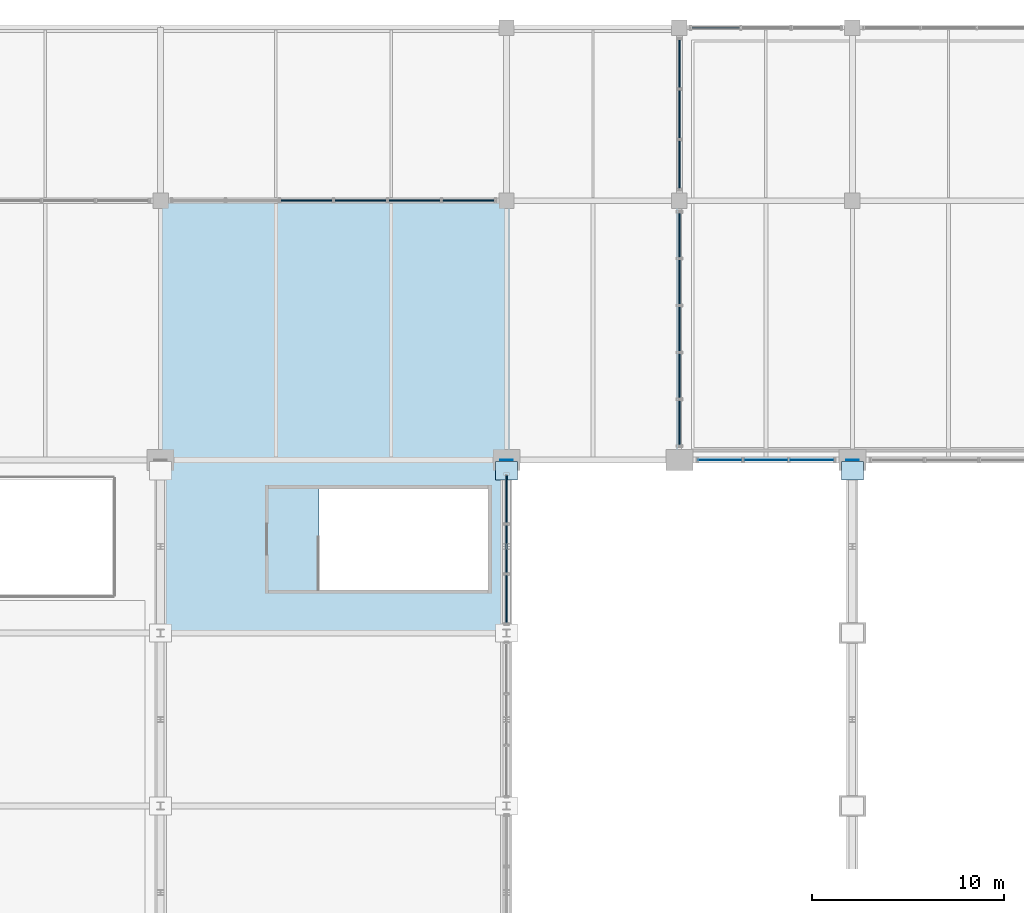
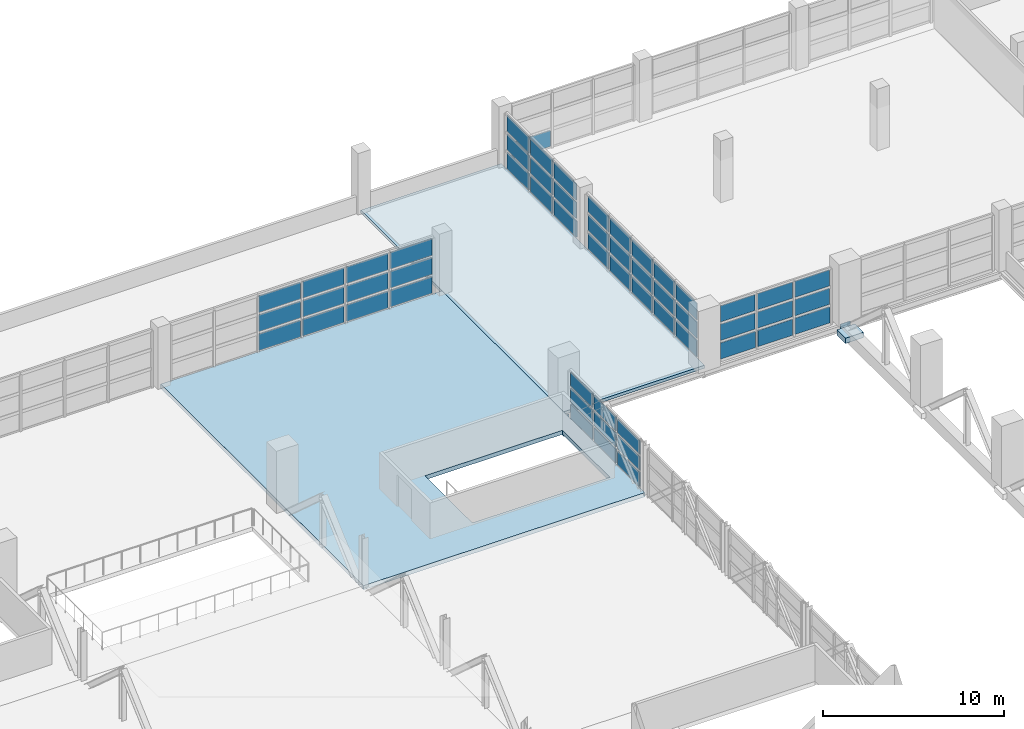
# One storey, part 109 of 136: 59 plates, 2 slabs, 6 elements without a shape of their own.
"""IFC4 building model written with IfcOpenShell, lengths in metres."""

import ifcopenshell
import ifcopenshell.guid

model = None  # the IFC model being written
_history = None  # IfcOwnerHistory: only IFC2X3 demands one
_inside = {}  # id of a spatial element -> (the spatial element, [elements in it])
_under = {}  # id of a project, library or spatial element -> (it, [spatial elements below it])
_declared = {}  # id of a project -> (the project, [libraries it declares])
_typed = {}  # id of a type object -> (the type object, [elements of that type])
_made_of = {}  # id of a material, layer set ... -> (it, [elements and type objects made of it])


def new_model(schema):
    """Start an empty IFC model of exactly this schema.

    Asked for "IFC4X3", IfcOpenShell would pick the latest addendum, in which some entities
    have other attributes; the version numbers below select the first issue.
    IFC2X3 requires an IfcOwnerHistory on every rooted entity: one is made here for all.
    """
    global model, _history
    if schema == "IFC4X3":
        model = ifcopenshell.file(schema_version=(4, 3, 0, 0))
    else:
        model = ifcopenshell.file(schema=schema)
    _inside.clear()
    _under.clear()
    _declared.clear()
    _typed.clear()
    _made_of.clear()
    _history = None
    if model.schema == "IFC2X3":
        org = make("IfcOrganization", Name="unknown")
        user = make(
            "IfcPersonAndOrganization",
            ThePerson=make("IfcPerson", FamilyName="unknown"),
            TheOrganization=org,
        )
        app = make(
            "IfcApplication",
            ApplicationDeveloper=org,
            Version="unknown",
            ApplicationFullName="unknown",
            ApplicationIdentifier="unknown",
        )
        _history = make(
            "IfcOwnerHistory",
            OwningUser=user,
            OwningApplication=app,
            ChangeAction="ADDED",
            CreationDate=0,
        )
    return model


def make(cls, **values):
    """One entity of the class cls with the attributes given. An attribute that is None is left unset."""
    return model.create_entity(
        cls, **{name: value for name, value in values.items() if value is not None}
    )


def rooted(cls, **values):
    """An entity with a GlobalId (a new one), such as an element, a storey or a relation."""
    return make(cls, GlobalId=ifcopenshell.guid.new(), OwnerHistory=_history, **values)


def si_unit(unit_type, name, prefix=None):
    """IfcSIUnit, for example si_unit("LENGTHUNIT", "METRE", prefix="MILLI")."""
    return make("IfcSIUnit", UnitType=unit_type, Prefix=prefix, Name=name)


def assignment(units):
    """IfcUnitAssignment: the units of a project."""
    return None if units is None else make("IfcUnitAssignment", Units=units)


def point(xyz):
    """IfcCartesianPoint."""
    return None if xyz is None else make("IfcCartesianPoint", Coordinates=xyz)


def direction(xyz):
    """IfcDirection."""
    return None if xyz is None else make("IfcDirection", DirectionRatios=xyz)


def frame(location, z_axis=None, x_axis=None):
    """IfcAxis2Placement3D, a coordinate frame: its origin and axes. An axis left out is left unset."""
    return make(
        "IfcAxis2Placement3D",
        Location=point(location),
        Axis=direction(z_axis),
        RefDirection=direction(x_axis),
    )


def frame_2d(location, x_axis=None):
    """IfcAxis2Placement2D, a coordinate frame in the plane: its origin and x axis."""
    return make(
        "IfcAxis2Placement2D", Location=point(location), RefDirection=direction(x_axis)
    )


def origin():
    """The frame at (0, 0, 0) with its axes left unset."""
    return frame((0.0, 0.0, 0.0))


def origin_2d():
    """The frame at (0, 0) in the plane with its x axis left unset."""
    return frame_2d((0.0, 0.0))


def place(relative_to, where):
    """IfcLocalPlacement: puts the frame where relative to a parent placement (None: the world)."""
    return make(
        "IfcLocalPlacement", PlacementRelTo=relative_to, RelativePlacement=where
    )


def context(
    kind, dimensions, precision=None, world=None, true_north=None, identifier=None
):
    """IfcGeometricRepresentationContext, for example the 3D "Model" context."""
    return make(
        "IfcGeometricRepresentationContext",
        ContextIdentifier=identifier,
        ContextType=kind,
        CoordinateSpaceDimension=dimensions,
        Precision=precision,
        WorldCoordinateSystem=world,
        TrueNorth=true_north,
    )


def subcontext(parent, identifier, kind, view, scale=None):
    """IfcGeometricRepresentationSubContext, for example "Body" below "Model"."""
    return make(
        "IfcGeometricRepresentationSubContext",
        ContextIdentifier=identifier,
        ContextType=kind,
        ParentContext=parent,
        TargetScale=scale,
        TargetView=view,
    )


def project(units=None, contexts=None):
    """IfcProject with its units and contexts."""
    return rooted(
        "IfcProject",
        Name="project",
        RepresentationContexts=contexts,
        UnitsInContext=assignment(units),
    )


def spatial(cls, under=None, at=None, **own):
    """A site, building, storey or space (cls), placed at a placement, below another one or the project."""
    s = rooted(cls, ObjectPlacement=at, **own)
    if under is not None:
        _under.setdefault(under.id(), (under, []))[1].append(s)
    return s


def polyline(points):
    """IfcPolyline through the points."""
    return make("IfcPolyline", Points=[point(p) for p in points])


def profile(cls, at=None, kind="AREA", **sizes):
    """A parametric profile (cls). Its sizes go by their IFC names, for example OverallWidth=200.0."""
    return make(cls, ProfileType=kind, Position=at, **sizes)


def rectangle(**sizes):
    """IfcRectangleProfileDef."""
    return profile("IfcRectangleProfileDef", **sizes)


def outline(outer, holes=None, kind="AREA"):
    """IfcArbitraryClosedProfileDef: a profile drawn as a closed curve; with holes, ...WithVoids."""
    if holes is None:
        return make("IfcArbitraryClosedProfileDef", ProfileType=kind, OuterCurve=outer)
    return make(
        "IfcArbitraryProfileDefWithVoids",
        ProfileType=kind,
        OuterCurve=outer,
        InnerCurves=holes,
    )


def extrude(swept, where, along, depth):
    """IfcExtrudedAreaSolid: the profile swept, set in the frame where, extruded along a direction by depth."""
    return make(
        "IfcExtrudedAreaSolid",
        SweptArea=swept,
        Position=where,
        ExtrudedDirection=direction(along),
        Depth=depth,
    )


def shape(context_of_items, identifier, shape_type, items):
    """IfcShapeRepresentation: the items that make up one representation, for example the "Body"."""
    return make(
        "IfcShapeRepresentation",
        ContextOfItems=context_of_items,
        RepresentationIdentifier=identifier,
        RepresentationType=shape_type,
        Items=items,
    )


def material(Name=None, Category=None):
    """IfcMaterial."""
    return make("IfcMaterial", Name=Name, Category=Category)


def layer(
    of_material, thickness, ventilated=None, Name=None, Category=None, Priority=None
):
    """IfcMaterialLayer: one layer of a wall or slab, of a material (None: an air gap)."""
    return make(
        "IfcMaterialLayer",
        Material=of_material,
        LayerThickness=thickness,
        IsVentilated=ventilated,
        Name=Name,
        Category=Category,
        Priority=Priority,
    )


def layer_set(layers, Name=None):
    """IfcMaterialLayerSet."""
    return make("IfcMaterialLayerSet", MaterialLayers=layers, LayerSetName=Name)


def made_of(thing, what):
    """Note that an element or type object is made of a material, layer set ...; save() writes the relation."""
    if what is not None:
        _made_of.setdefault(what.id(), (what, []))[1].append(thing)
    return thing


def type_object(cls, material=None, **own):
    """A type object (cls), such as IfcWallType, which elements share."""
    return made_of(rooted(cls, **own), material)


def element(
    cls,
    number,
    at=None,
    inside=None,
    cuts=None,
    type_object=None,
    material=None,
    context=None,
    identifier="Body",
    shape_type=None,
    held_by="IfcProductDefinitionShape",
    body=None,
    shapes=None,
    **own,
):
    """One element of the class cls, such as IfcWall. Its Tag is "e" and its number.

    at: its placement. inside: the storey or other place that contains it. cuts: it is an
    opening in that element (IfcRelVoidsElement). A single representation is given by context,
    identifier, shape_type and body (its items); several are given by shapes. held_by: the class
    of the entity that holds the representations. save() writes the other relations.
    """
    e = rooted(cls, Tag="e%d" % number, ObjectPlacement=at, **own)
    if body is not None:
        shapes = [shape(context, identifier, shape_type, body)]
    if shapes is not None:
        e.Representation = make(held_by, Representations=shapes)
    if inside is not None:
        _inside.setdefault(inside.id(), (inside, []))[1].append(e)
    if cuts is not None:
        rooted(
            "IfcRelVoidsElement", RelatingBuildingElement=cuts, RelatedOpeningElement=e
        )
    if type_object is not None:
        _typed.setdefault(type_object.id(), (type_object, []))[1].append(e)
    return made_of(e, material)


def aggregate(whole, parts):
    """IfcRelAggregates: a whole, such as a stair, and the parts it consists of."""
    return rooted("IfcRelAggregates", RelatingObject=whole, RelatedObjects=parts)


def save(model, path):
    """Write the relations noted so far, then the file.

    IfcRelAggregates (storeys below a building ...), IfcRelContainedInSpatialStructure (elements
    in a storey), IfcRelDefinesByType, IfcRelAssociatesMaterial and IfcRelDeclares: one each for
    every whole, place, type object, material and project.
    """
    for whole, parts in _under.values():
        aggregate(whole, parts)
    for where, things in _inside.values():
        rooted(
            "IfcRelContainedInSpatialStructure",
            RelatedElements=things,
            RelatingStructure=where,
        )
    for kind, things in _typed.values():
        rooted("IfcRelDefinesByType", RelatedObjects=things, RelatingType=kind)
    for what, things in _made_of.values():
        rooted("IfcRelAssociatesMaterial", RelatedObjects=things, RelatingMaterial=what)
    for by, libraries in _declared.values():
        rooted("IfcRelDeclares", RelatingContext=by, RelatedDefinitions=libraries)
    model.write(path)


model = new_model("IFC4")

# Units and contexts
model_context = context("Model", 3, precision=1e-05, world=origin(), true_north=direction((0.0, 1.0)))
body_context = subcontext(model_context, "Body", "Model", "MODEL_VIEW")
ifc_project = project(units=[si_unit("LENGTHUNIT", "METRE"), si_unit("AREAUNIT", "SQUARE_METRE"), si_unit("VOLUMEUNIT", "CUBIC_METRE"), si_unit("PLANEANGLEUNIT", "RADIAN"), si_unit("MASSUNIT", "GRAM", prefix="KILO")], contexts=[model_context])

# Site, building, storey
site_placement = place(None, origin())
site = spatial("IfcSite", under=ifc_project, at=site_placement, CompositionType="ELEMENT")
building_placement = place(site_placement, origin())
building = spatial("IfcBuilding", under=site, at=building_placement, Name="Chuanluo Vaults Station", CompositionType="ELEMENT")
storey_placement = place(building_placement, frame((0.0, 0.0, 6.60009765625)))
storey = spatial("IfcBuildingStorey", under=building, at=storey_placement, Name="L01", CompositionType="ELEMENT", Elevation=6.60009765625)

# Curtain wall, plates
ifc_material_1 = material(Name="Anodised aluminium 6063-T6", Category="aluminium")
curtain_wall_type_1 = type_object("IfcCurtainWallType", Name="CW-SYS-17", PredefinedType="NOTDEFINED", material=ifc_material_1)
curtain_wall_1_placement = place(storey_placement, origin())
curtain_wall_1 = element("IfcCurtainWall", 1, at=curtain_wall_1_placement, inside=storey, type_object=curtain_wall_type_1, Name="Operations L01 facade CW", PredefinedType="NOTDEFINED")
ifc_material_2 = material(Name="Ceramic-fritted spandrel glass", Category="glass")
ifc_layer_1 = layer(ifc_material_2, 0.06396484375)
ifc_layer_set_1 = layer_set([ifc_layer_1], Name="Ceramic-fritted spandrel glass")
plate_type_1 = type_object("IfcPlateType", Name="CWP-SPN-42", PredefinedType="SHEET", material=ifc_layer_set_1)
plate_1_placement = place(storey_placement, frame((117.0, 105.445068359375, 0.080078125), z_axis=(0.0, 0.0, 1.0), x_axis=(0.0, 1.0, 0.0)))
plate_1 = element("IfcPlate", 2, at=plate_1_placement, type_object=plate_type_1, Name="Operations L01 facade CW glazed panel 1.1", PredefinedType="SHEET", context=body_context, shape_type="SweptSolid", body=[
    extrude(rectangle(XDim=2.280029296875, YDim=0.06396484375, at=origin_2d()), origin(), (0.0, 0.0, 1.0), 1.090087890625),
])
plate_2_placement = place(storey_placement, frame((117.0, 107.885009765625, 0.080078125), z_axis=(0.0, 0.0, 1.0), x_axis=(0.0, 1.0, 0.0)))
plate_2 = element("IfcPlate", 3, at=plate_2_placement, type_object=plate_type_1, Name="Operations L01 facade CW glazed panel 2.1", PredefinedType="SHEET", context=body_context, shape_type="SweptSolid", body=[
    extrude(rectangle(XDim=2.280029296875, YDim=0.06396484375, at=origin_2d()), origin(), (0.0, 0.0, 1.0), 1.090087890625),
])
plate_3_placement = place(storey_placement, frame((117.0, 110.324951171875, 0.080078125), z_axis=(0.0, 0.0, 1.0), x_axis=(0.0, 1.0, 0.0)))
plate_3 = element("IfcPlate", 4, at=plate_3_placement, type_object=plate_type_1, Name="Operations L01 facade CW glazed panel 3.1", PredefinedType="SHEET", context=body_context, shape_type="SweptSolid", body=[
    extrude(rectangle(XDim=2.280029296875, YDim=0.06396484375, at=origin_2d()), origin(), (0.0, 0.0, 1.0), 1.090087890625),
])
plate_4_placement = place(storey_placement, frame((117.0, 112.764892578125, 0.080078125), z_axis=(0.0, 0.0, 1.0), x_axis=(0.0, 1.0, 0.0)))
plate_4 = element("IfcPlate", 5, at=plate_4_placement, type_object=plate_type_1, Name="Operations L01 facade CW glazed panel 4.1", PredefinedType="SHEET", context=body_context, shape_type="SweptSolid", body=[
    extrude(rectangle(XDim=2.280029296875, YDim=0.06396484375, at=origin_2d()), origin(), (0.0, 0.0, 1.0), 1.090087890625),
])
plate_5_placement = place(storey_placement, frame((117.0, 115.205078125, 0.080078125), z_axis=(0.0, 0.0, 1.0), x_axis=(0.0, 1.0, 0.0)))
plate_5 = element("IfcPlate", 6, at=plate_5_placement, type_object=plate_type_1, Name="Operations L01 facade CW glazed panel 5.1", PredefinedType="SHEET", context=body_context, shape_type="SweptSolid", body=[
    extrude(rectangle(XDim=2.280029296875, YDim=0.06396484375, at=origin_2d()), origin(), (0.0, 0.0, 1.0), 1.090087890625),
])

# Curtain wall, plate
ifc_material_3 = material(Name="Anodised aluminium 6063-T6", Category="aluminium")
curtain_wall_type_2 = type_object("IfcCurtainWallType", Name="CW-SYS-19", PredefinedType="NOTDEFINED", material=ifc_material_3)
curtain_wall_2_placement = place(storey_placement, origin())
curtain_wall_2 = element("IfcCurtainWall", 7, at=curtain_wall_2_placement, inside=storey, type_object=curtain_wall_type_2, Name="Operations L01 facade CW", PredefinedType="NOTDEFINED")
plate_6_placement = place(storey_placement, frame((118.88330078125, 126.0, 0.080078125), z_axis=(0.0, 0.0, 1.0), x_axis=(1.0, 0.0, 0.0)))
plate_6 = element("IfcPlate", 8, at=plate_6_placement, type_object=plate_type_1, Name="Operations L01 facade CW glazed panel 1.1", PredefinedType="SHEET", context=body_context, shape_type="SweptSolid", body=[
    extrude(rectangle(XDim=2.456787109375, YDim=0.06396484375, at=origin_2d()), origin(), (0.0, 0.0, 1.0), 1.090087890625),
])
aggregate(curtain_wall_2, [plate_6])

# Curtain wall, plates
ifc_material_4 = material(Name="Anodised aluminium 6063-T6", Category="aluminium")
curtain_wall_type_3 = type_object("IfcCurtainWallType", Name="CW-SYS-22", PredefinedType="NOTDEFINED", material=ifc_material_4)
curtain_wall_3_placement = place(storey_placement, origin())
curtain_wall_3 = element("IfcCurtainWall", 9, at=curtain_wall_3_placement, inside=storey, type_object=curtain_wall_type_3, Name="Over-track V6 north facade CW", PredefinedType="NOTDEFINED")
ifc_material_5 = material(Name="Ceramic-fritted spandrel glass", Category="glass")
ifc_layer_2 = layer(ifc_material_5, 0.070068359375)
ifc_layer_set_2 = layer_set([ifc_layer_2], Name="Ceramic-fritted spandrel glass")
plate_type_2 = type_object("IfcPlateType", Name="CWP-SPN-50", PredefinedType="SHEET", material=ifc_layer_set_2)
plate_7_placement = place(storey_placement, frame((97.595703125, 117.0, 0.080078125), z_axis=(0.0, 0.0, 1.0), x_axis=(1.0, 0.0, 0.0)))
plate_7 = element("IfcPlate", 10, at=plate_7_placement, type_object=plate_type_2, Name="Over-track V6 north facade CW glazed panel 3.1", PredefinedType="SHEET", context=body_context, shape_type="SweptSolid", body=[
    extrude(rectangle(XDim=2.648193359375, YDim=0.070068359375, at=origin_2d()), origin(), (0.0, 0.0, 1.0), 1.123291015625),
])
plate_8_placement = place(storey_placement, frame((100.404296875, 117.0, 0.080078125), z_axis=(0.0, 0.0, 1.0), x_axis=(1.0, 0.0, 0.0)))
plate_8 = element("IfcPlate", 11, at=plate_8_placement, type_object=plate_type_2, Name="Over-track V6 north facade CW glazed panel 4.1", PredefinedType="SHEET", context=body_context, shape_type="SweptSolid", body=[
    extrude(rectangle(XDim=2.648193359375, YDim=0.070068359375, at=origin_2d()), origin(), (0.0, 0.0, 1.0), 1.123291015625),
])
plate_9_placement = place(storey_placement, frame((103.21240234375, 117.0, 0.080078125), z_axis=(0.0, 0.0, 1.0), x_axis=(1.0, 0.0, 0.0)))
plate_9 = element("IfcPlate", 12, at=plate_9_placement, type_object=plate_type_2, Name="Over-track V6 north facade CW glazed panel 5.1", PredefinedType="SHEET", context=body_context, shape_type="SweptSolid", body=[
    extrude(rectangle(XDim=2.648193359375, YDim=0.070068359375, at=origin_2d()), origin(), (0.0, 0.0, 1.0), 1.123291015625),
])
plate_10_placement = place(storey_placement, frame((106.020751953125, 117.0, 0.080078125), z_axis=(0.0, 0.0, 1.0), x_axis=(1.0, 0.0, 0.0)))
plate_10 = element("IfcPlate", 13, at=plate_10_placement, type_object=plate_type_2, Name="Over-track V6 north facade CW glazed panel 6.1", PredefinedType="SHEET", context=body_context, shape_type="SweptSolid", body=[
    extrude(rectangle(XDim=2.648193359375, YDim=0.070068359375, at=origin_2d()), origin(), (0.0, 0.0, 1.0), 1.123291015625),
])

ifc_material_6 = material(Name="Anodised aluminium 6063-T6", Category="aluminium")
curtain_wall_type_4 = type_object("IfcCurtainWallType", Name="CW-SYS-02", PredefinedType="NOTDEFINED", material=ifc_material_6)
curtain_wall_4_placement = place(storey_placement, origin())
curtain_wall_4 = element("IfcCurtainWall", 14, at=curtain_wall_4_placement, inside=storey, type_object=curtain_wall_type_4, Name="Over-track east hall CW 94", PredefinedType="NOTDEFINED")
plate_11_placement = place(storey_placement, frame((108.0, 101.47509765625, 0.079833984375), z_axis=(0.0, 0.0, 1.0), x_axis=(0.0, -1.0, 0.0)))
plate_11 = element("IfcPlate", 15, at=plate_11_placement, type_object=plate_type_2, Name="Over-track east hall CW 94 glazed panel 1.1", PredefinedType="SHEET", context=body_context, shape_type="SweptSolid", body=[
    extrude(rectangle(XDim=2.43994140625, YDim=0.070068359375, at=origin_2d()), origin(), (0.0, 0.0, 1.0), 0.92333984375),
])
plate_12_placement = place(storey_placement, frame((108.0, 98.875, 0.079833984375), z_axis=(0.0, 0.0, 1.0), x_axis=(0.0, -1.0, 0.0)))
plate_12 = element("IfcPlate", 16, at=plate_12_placement, type_object=plate_type_2, Name="Over-track east hall CW 94 glazed panel 2.1", PredefinedType="SHEET", context=body_context, shape_type="SweptSolid", body=[
    extrude(rectangle(XDim=2.43994140625, YDim=0.070068359375, at=origin_2d()), origin(), (0.0, 0.0, 1.0), 0.92333984375),
])
plate_13_placement = place(storey_placement, frame((108.0, 96.27490234375, 0.079833984375), z_axis=(0.0, 0.0, 1.0), x_axis=(0.0, -1.0, 0.0)))
plate_13 = element("IfcPlate", 17, at=plate_13_placement, type_object=plate_type_2, Name="Over-track east hall CW 94 glazed panel 3.1", PredefinedType="SHEET", context=body_context, shape_type="SweptSolid", body=[
    extrude(rectangle(XDim=2.43994140625, YDim=0.070068359375, at=origin_2d()), origin(), (0.0, 0.0, 1.0), 0.92333984375),
])

ifc_material_7 = material(Name="Anodised aluminium 6063-T6", Category="aluminium")
curtain_wall_type_5 = type_object("IfcCurtainWallType", Name="CW-SYS-16", PredefinedType="NOTDEFINED", material=ifc_material_7)
curtain_wall_5_placement = place(storey_placement, origin())
curtain_wall_5 = element("IfcCurtainWall", 18, at=curtain_wall_5_placement, inside=storey, type_object=curtain_wall_type_5, Name="Operations L01 facade CW", PredefinedType="NOTDEFINED")
plate_14_placement = place(storey_placement, frame((123.88330078125, 103.5, 0.080078125), z_axis=(0.0, 0.0, 1.0), x_axis=(-1.0, 0.0, 0.0)))
plate_14 = element("IfcPlate", 19, at=plate_14_placement, type_object=plate_type_2, Name="Operations L01 facade CW glazed panel 1.1", PredefinedType="SHEET", context=body_context, shape_type="SweptSolid", body=[
    extrude(rectangle(XDim=2.223388671875, YDim=0.070068359375, at=origin_2d()), origin(), (0.0, 0.0, 1.0), 1.090087890625),
])
plate_15_placement = place(storey_placement, frame((121.5, 103.5, 0.080078125), z_axis=(0.0, 0.0, 1.0), x_axis=(-1.0, 0.0, 0.0)))
plate_15 = element("IfcPlate", 20, at=plate_15_placement, type_object=plate_type_2, Name="Operations L01 facade CW glazed panel 2.1", PredefinedType="SHEET", context=body_context, shape_type="SweptSolid", body=[
    extrude(rectangle(XDim=2.223388671875, YDim=0.070068359375, at=origin_2d()), origin(), (0.0, 0.0, 1.0), 1.090087890625),
])
plate_16_placement = place(storey_placement, frame((119.11669921875, 103.5, 0.080078125), z_axis=(0.0, 0.0, 1.0), x_axis=(-1.0, 0.0, 0.0)))
plate_16 = element("IfcPlate", 21, at=plate_16_placement, type_object=plate_type_2, Name="Operations L01 facade CW glazed panel 3.1", PredefinedType="SHEET", context=body_context, shape_type="SweptSolid", body=[
    extrude(rectangle(XDim=2.223388671875, YDim=0.070068359375, at=origin_2d()), origin(), (0.0, 0.0, 1.0), 1.090087890625),
])

ifc_material_8 = material(Name="Anodised aluminium 6063-T6", Category="aluminium")
curtain_wall_type_6 = type_object("IfcCurtainWallType", Name="CW-SYS-18", PredefinedType="NOTDEFINED", material=ifc_material_8)
curtain_wall_6_placement = place(storey_placement, origin())
curtain_wall_6 = element("IfcCurtainWall", 22, at=curtain_wall_6_placement, inside=storey, type_object=curtain_wall_type_6, Name="Operations L01 facade CW", PredefinedType="NOTDEFINED")
plate_17_placement = place(storey_placement, frame((117.0, 118.88330078125, 0.080078125), z_axis=(0.0, 0.0, 1.0), x_axis=(0.0, 1.0, 0.0)))
plate_17 = element("IfcPlate", 23, at=plate_17_placement, type_object=plate_type_2, Name="Operations L01 facade CW glazed panel 1.1", PredefinedType="SHEET", context=body_context, shape_type="SweptSolid", body=[
    extrude(rectangle(XDim=2.456787109375, YDim=0.070068359375, at=origin_2d()), origin(), (0.0, 0.0, 1.0), 1.090087890625),
])
plate_18_placement = place(storey_placement, frame((117.0, 121.5, 0.080078125), z_axis=(0.0, 0.0, 1.0), x_axis=(0.0, 1.0, 0.0)))
plate_18 = element("IfcPlate", 24, at=plate_18_placement, type_object=plate_type_2, Name="Operations L01 facade CW glazed panel 2.1", PredefinedType="SHEET", context=body_context, shape_type="SweptSolid", body=[
    extrude(rectangle(XDim=2.456787109375, YDim=0.070068359375, at=origin_2d()), origin(), (0.0, 0.0, 1.0), 1.090087890625),
])
plate_19_placement = place(storey_placement, frame((117.0, 124.11669921875, 0.080078125), z_axis=(0.0, 0.0, 1.0), x_axis=(0.0, 1.0, 0.0)))
plate_19 = element("IfcPlate", 25, at=plate_19_placement, type_object=plate_type_2, Name="Operations L01 facade CW glazed panel 3.1", PredefinedType="SHEET", context=body_context, shape_type="SweptSolid", body=[
    extrude(rectangle(XDim=2.456787109375, YDim=0.070068359375, at=origin_2d()), origin(), (0.0, 0.0, 1.0), 1.090087890625),
])

# Plate
ifc_material_9 = material(Name="Double-silver Low-E laminated glass", Category="glass")
ifc_layer_3 = layer(ifc_material_9, 0.0439453125)
ifc_layer_set_3 = layer_set([ifc_layer_3], Name="Double-silver Low-E laminated glass")
plate_type_3 = type_object("IfcPlateType", Name="CWP-VIS-28", PredefinedType="CURTAIN_PANEL", material=ifc_layer_set_3)
plate_20_placement = place(storey_placement, frame((123.88330078125, 103.5, 1.330078125), z_axis=(0.0, 0.0, 1.0), x_axis=(-1.0, 0.0, 0.0)))
plate_20 = element("IfcPlate", 26, at=plate_20_placement, type_object=plate_type_3, Name="Operations L01 facade CW glazed panel 1.2", PredefinedType="CURTAIN_PANEL", context=body_context, shape_type="SweptSolid", body=[
    extrude(rectangle(XDim=2.223388671875, YDim=0.0439453125, at=origin_2d()), origin(), (0.0, 0.0, 1.0), 1.090087890625),
])

plate_21_placement = place(storey_placement, frame((123.88330078125, 103.5, 2.580078125), z_axis=(0.0, 0.0, 1.0), x_axis=(-1.0, 0.0, 0.0)))
plate_21 = element("IfcPlate", 27, at=plate_21_placement, type_object=plate_type_3, Name="Operations L01 facade CW glazed panel 1.3", PredefinedType="CURTAIN_PANEL", context=body_context, shape_type="SweptSolid", body=[
    extrude(rectangle(XDim=2.223388671875, YDim=0.0439453125, at=origin_2d()), origin(), (0.0, 0.0, 1.0), 1.090087890625),
])

plate_22_placement = place(storey_placement, frame((121.5, 103.5, 1.330078125), z_axis=(0.0, 0.0, 1.0), x_axis=(-1.0, 0.0, 0.0)))
plate_22 = element("IfcPlate", 28, at=plate_22_placement, type_object=plate_type_3, Name="Operations L01 facade CW glazed panel 2.2", PredefinedType="CURTAIN_PANEL", context=body_context, shape_type="SweptSolid", body=[
    extrude(rectangle(XDim=2.223388671875, YDim=0.0439453125, at=origin_2d()), origin(), (0.0, 0.0, 1.0), 1.090087890625),
])

plate_23_placement = place(storey_placement, frame((121.5, 103.5, 2.580078125), z_axis=(0.0, 0.0, 1.0), x_axis=(-1.0, 0.0, 0.0)))
plate_23 = element("IfcPlate", 29, at=plate_23_placement, type_object=plate_type_3, Name="Operations L01 facade CW glazed panel 2.3", PredefinedType="CURTAIN_PANEL", context=body_context, shape_type="SweptSolid", body=[
    extrude(rectangle(XDim=2.223388671875, YDim=0.0439453125, at=origin_2d()), origin(), (0.0, 0.0, 1.0), 1.090087890625),
])

plate_24_placement = place(storey_placement, frame((119.11669921875, 103.5, 1.330078125), z_axis=(0.0, 0.0, 1.0), x_axis=(-1.0, 0.0, 0.0)))
plate_24 = element("IfcPlate", 30, at=plate_24_placement, type_object=plate_type_3, Name="Operations L01 facade CW glazed panel 3.2", PredefinedType="CURTAIN_PANEL", context=body_context, shape_type="SweptSolid", body=[
    extrude(rectangle(XDim=2.223388671875, YDim=0.0439453125, at=origin_2d()), origin(), (0.0, 0.0, 1.0), 1.090087890625),
])

plate_25_placement = place(storey_placement, frame((119.11669921875, 103.5, 2.580078125), z_axis=(0.0, 0.0, 1.0), x_axis=(-1.0, 0.0, 0.0)))
plate_25 = element("IfcPlate", 31, at=plate_25_placement, type_object=plate_type_3, Name="Operations L01 facade CW glazed panel 3.3", PredefinedType="CURTAIN_PANEL", context=body_context, shape_type="SweptSolid", body=[
    extrude(rectangle(XDim=2.223388671875, YDim=0.0439453125, at=origin_2d()), origin(), (0.0, 0.0, 1.0), 1.090087890625),
])

aggregate(curtain_wall_5, [plate_14, plate_20, plate_21, plate_15, plate_22, plate_23, plate_16, plate_24, plate_25])

ifc_material_10 = material(Name="Double-silver Low-E laminated glass", Category="glass")
ifc_layer_4 = layer(ifc_material_10, 0.053955078125)
ifc_layer_set_4 = layer_set([ifc_layer_4], Name="Double-silver Low-E laminated glass")
plate_type_4 = type_object("IfcPlateType", Name="CWP-VIS-36", PredefinedType="CURTAIN_PANEL", material=ifc_layer_set_4)
plate_26_placement = place(storey_placement, frame((97.595703125, 117.0, 1.36328125), z_axis=(0.0, 0.0, 1.0), x_axis=(1.0, 0.0, 0.0)))
plate_26 = element("IfcPlate", 32, at=plate_26_placement, type_object=plate_type_4, Name="Over-track V6 north facade CW glazed panel 3.2", PredefinedType="CURTAIN_PANEL", context=body_context, shape_type="SweptSolid", body=[
    extrude(rectangle(XDim=2.648193359375, YDim=0.053955078125, at=origin_2d()), origin(), (0.0, 0.0, 1.0), 1.123291015625),
])

plate_27_placement = place(storey_placement, frame((97.595703125, 117.0, 2.646484375), z_axis=(0.0, 0.0, 1.0), x_axis=(1.0, 0.0, 0.0)))
plate_27 = element("IfcPlate", 33, at=plate_27_placement, type_object=plate_type_4, Name="Over-track V6 north facade CW glazed panel 3.3", PredefinedType="CURTAIN_PANEL", context=body_context, shape_type="SweptSolid", body=[
    extrude(rectangle(XDim=2.648193359375, YDim=0.053955078125, at=origin_2d()), origin(), (0.0, 0.0, 1.0), 1.123291015625),
])

plate_28_placement = place(storey_placement, frame((100.404296875, 117.0, 1.36328125), z_axis=(0.0, 0.0, 1.0), x_axis=(1.0, 0.0, 0.0)))
plate_28 = element("IfcPlate", 34, at=plate_28_placement, type_object=plate_type_4, Name="Over-track V6 north facade CW glazed panel 4.2", PredefinedType="CURTAIN_PANEL", context=body_context, shape_type="SweptSolid", body=[
    extrude(rectangle(XDim=2.648193359375, YDim=0.053955078125, at=origin_2d()), origin(), (0.0, 0.0, 1.0), 1.123291015625),
])

plate_29_placement = place(storey_placement, frame((100.404296875, 117.0, 2.646484375), z_axis=(0.0, 0.0, 1.0), x_axis=(1.0, 0.0, 0.0)))
plate_29 = element("IfcPlate", 35, at=plate_29_placement, type_object=plate_type_4, Name="Over-track V6 north facade CW glazed panel 4.3", PredefinedType="CURTAIN_PANEL", context=body_context, shape_type="SweptSolid", body=[
    extrude(rectangle(XDim=2.648193359375, YDim=0.053955078125, at=origin_2d()), origin(), (0.0, 0.0, 1.0), 1.123291015625),
])

plate_30_placement = place(storey_placement, frame((103.21240234375, 117.0, 1.36328125), z_axis=(0.0, 0.0, 1.0), x_axis=(1.0, 0.0, 0.0)))
plate_30 = element("IfcPlate", 36, at=plate_30_placement, type_object=plate_type_4, Name="Over-track V6 north facade CW glazed panel 5.2", PredefinedType="CURTAIN_PANEL", context=body_context, shape_type="SweptSolid", body=[
    extrude(rectangle(XDim=2.648193359375, YDim=0.053955078125, at=origin_2d()), origin(), (0.0, 0.0, 1.0), 1.123291015625),
])

plate_31_placement = place(storey_placement, frame((103.21240234375, 117.0, 2.646484375), z_axis=(0.0, 0.0, 1.0), x_axis=(1.0, 0.0, 0.0)))
plate_31 = element("IfcPlate", 37, at=plate_31_placement, type_object=plate_type_4, Name="Over-track V6 north facade CW glazed panel 5.3", PredefinedType="CURTAIN_PANEL", context=body_context, shape_type="SweptSolid", body=[
    extrude(rectangle(XDim=2.648193359375, YDim=0.053955078125, at=origin_2d()), origin(), (0.0, 0.0, 1.0), 1.123291015625),
])

plate_32_placement = place(storey_placement, frame((106.020751953125, 117.0, 1.36328125), z_axis=(0.0, 0.0, 1.0), x_axis=(1.0, 0.0, 0.0)))
plate_32 = element("IfcPlate", 38, at=plate_32_placement, type_object=plate_type_4, Name="Over-track V6 north facade CW glazed panel 6.2", PredefinedType="CURTAIN_PANEL", context=body_context, shape_type="SweptSolid", body=[
    extrude(rectangle(XDim=2.648193359375, YDim=0.053955078125, at=origin_2d()), origin(), (0.0, 0.0, 1.0), 1.123291015625),
])

plate_33_placement = place(storey_placement, frame((106.020751953125, 117.0, 2.646484375), z_axis=(0.0, 0.0, 1.0), x_axis=(1.0, 0.0, 0.0)))
plate_33 = element("IfcPlate", 39, at=plate_33_placement, type_object=plate_type_4, Name="Over-track V6 north facade CW glazed panel 6.3", PredefinedType="CURTAIN_PANEL", context=body_context, shape_type="SweptSolid", body=[
    extrude(rectangle(XDim=2.648193359375, YDim=0.053955078125, at=origin_2d()), origin(), (0.0, 0.0, 1.0), 1.123291015625),
])

aggregate(curtain_wall_3, [plate_7, plate_26, plate_27, plate_8, plate_28, plate_29, plate_9, plate_30, plate_31, plate_10, plate_32, plate_33])

plate_34_placement = place(storey_placement, frame((108.0, 101.47509765625, 1.163330078125), z_axis=(0.0, 0.0, 1.0), x_axis=(0.0, -1.0, 0.0)))
plate_34 = element("IfcPlate", 40, at=plate_34_placement, type_object=plate_type_4, Name="Over-track east hall CW 94 glazed panel 1.2", PredefinedType="CURTAIN_PANEL", context=body_context, shape_type="SweptSolid", body=[
    extrude(rectangle(XDim=2.43994140625, YDim=0.053955078125, at=origin_2d()), origin(), (0.0, 0.0, 1.0), 0.92333984375),
])

plate_35_placement = place(storey_placement, frame((108.0, 101.47509765625, 2.24658203125), z_axis=(0.0, 0.0, 1.0), x_axis=(0.0, -1.0, 0.0)))
plate_35 = element("IfcPlate", 41, at=plate_35_placement, type_object=plate_type_4, Name="Over-track east hall CW 94 glazed panel 1.3", PredefinedType="CURTAIN_PANEL", context=body_context, shape_type="SweptSolid", body=[
    extrude(rectangle(XDim=2.43994140625, YDim=0.053955078125, at=origin_2d()), origin(), (0.0, 0.0, 1.0), 0.92333984375),
])

plate_36_placement = place(storey_placement, frame((108.0, 98.875, 1.163330078125), z_axis=(0.0, 0.0, 1.0), x_axis=(0.0, -1.0, 0.0)))
plate_36 = element("IfcPlate", 42, at=plate_36_placement, type_object=plate_type_4, Name="Over-track east hall CW 94 glazed panel 2.2", PredefinedType="CURTAIN_PANEL", context=body_context, shape_type="SweptSolid", body=[
    extrude(rectangle(XDim=2.43994140625, YDim=0.053955078125, at=origin_2d()), origin(), (0.0, 0.0, 1.0), 0.92333984375),
])

plate_37_placement = place(storey_placement, frame((108.0, 98.875, 2.24658203125), z_axis=(0.0, 0.0, 1.0), x_axis=(0.0, -1.0, 0.0)))
plate_37 = element("IfcPlate", 43, at=plate_37_placement, type_object=plate_type_4, Name="Over-track east hall CW 94 glazed panel 2.3", PredefinedType="CURTAIN_PANEL", context=body_context, shape_type="SweptSolid", body=[
    extrude(rectangle(XDim=2.43994140625, YDim=0.053955078125, at=origin_2d()), origin(), (0.0, 0.0, 1.0), 0.92333984375),
])

plate_38_placement = place(storey_placement, frame((108.0, 96.27490234375, 1.163330078125), z_axis=(0.0, 0.0, 1.0), x_axis=(0.0, -1.0, 0.0)))
plate_38 = element("IfcPlate", 44, at=plate_38_placement, type_object=plate_type_4, Name="Over-track east hall CW 94 glazed panel 3.2", PredefinedType="CURTAIN_PANEL", context=body_context, shape_type="SweptSolid", body=[
    extrude(rectangle(XDim=2.43994140625, YDim=0.053955078125, at=origin_2d()), origin(), (0.0, 0.0, 1.0), 0.92333984375),
])

plate_39_placement = place(storey_placement, frame((108.0, 96.27490234375, 2.24658203125), z_axis=(0.0, 0.0, 1.0), x_axis=(0.0, -1.0, 0.0)))
plate_39 = element("IfcPlate", 45, at=plate_39_placement, type_object=plate_type_4, Name="Over-track east hall CW 94 glazed panel 3.3", PredefinedType="CURTAIN_PANEL", context=body_context, shape_type="SweptSolid", body=[
    extrude(rectangle(XDim=2.43994140625, YDim=0.053955078125, at=origin_2d()), origin(), (0.0, 0.0, 1.0), 0.92333984375),
])

aggregate(curtain_wall_4, [plate_11, plate_34, plate_35, plate_12, plate_36, plate_37, plate_13, plate_38, plate_39])

plate_40_placement = place(storey_placement, frame((117.0, 118.88330078125, 1.330078125), z_axis=(0.0, 0.0, 1.0), x_axis=(0.0, 1.0, 0.0)))
plate_40 = element("IfcPlate", 46, at=plate_40_placement, type_object=plate_type_4, Name="Operations L01 facade CW glazed panel 1.2", PredefinedType="CURTAIN_PANEL", context=body_context, shape_type="SweptSolid", body=[
    extrude(rectangle(XDim=2.456787109375, YDim=0.053955078125, at=origin_2d()), origin(), (0.0, 0.0, 1.0), 1.090087890625),
])

plate_41_placement = place(storey_placement, frame((117.0, 118.88330078125, 2.580078125), z_axis=(0.0, 0.0, 1.0), x_axis=(0.0, 1.0, 0.0)))
plate_41 = element("IfcPlate", 47, at=plate_41_placement, type_object=plate_type_4, Name="Operations L01 facade CW glazed panel 1.3", PredefinedType="CURTAIN_PANEL", context=body_context, shape_type="SweptSolid", body=[
    extrude(rectangle(XDim=2.456787109375, YDim=0.053955078125, at=origin_2d()), origin(), (0.0, 0.0, 1.0), 1.090087890625),
])

plate_42_placement = place(storey_placement, frame((117.0, 121.5, 1.330078125), z_axis=(0.0, 0.0, 1.0), x_axis=(0.0, 1.0, 0.0)))
plate_42 = element("IfcPlate", 48, at=plate_42_placement, type_object=plate_type_4, Name="Operations L01 facade CW glazed panel 2.2", PredefinedType="CURTAIN_PANEL", context=body_context, shape_type="SweptSolid", body=[
    extrude(rectangle(XDim=2.456787109375, YDim=0.053955078125, at=origin_2d()), origin(), (0.0, 0.0, 1.0), 1.090087890625),
])

plate_43_placement = place(storey_placement, frame((117.0, 121.5, 2.580078125), z_axis=(0.0, 0.0, 1.0), x_axis=(0.0, 1.0, 0.0)))
plate_43 = element("IfcPlate", 49, at=plate_43_placement, type_object=plate_type_4, Name="Operations L01 facade CW glazed panel 2.3", PredefinedType="CURTAIN_PANEL", context=body_context, shape_type="SweptSolid", body=[
    extrude(rectangle(XDim=2.456787109375, YDim=0.053955078125, at=origin_2d()), origin(), (0.0, 0.0, 1.0), 1.090087890625),
])

plate_44_placement = place(storey_placement, frame((117.0, 124.11669921875, 1.330078125), z_axis=(0.0, 0.0, 1.0), x_axis=(0.0, 1.0, 0.0)))
plate_44 = element("IfcPlate", 50, at=plate_44_placement, type_object=plate_type_4, Name="Operations L01 facade CW glazed panel 3.2", PredefinedType="CURTAIN_PANEL", context=body_context, shape_type="SweptSolid", body=[
    extrude(rectangle(XDim=2.456787109375, YDim=0.053955078125, at=origin_2d()), origin(), (0.0, 0.0, 1.0), 1.090087890625),
])

plate_45_placement = place(storey_placement, frame((117.0, 124.11669921875, 2.580078125), z_axis=(0.0, 0.0, 1.0), x_axis=(0.0, 1.0, 0.0)))
plate_45 = element("IfcPlate", 51, at=plate_45_placement, type_object=plate_type_4, Name="Operations L01 facade CW glazed panel 3.3", PredefinedType="CURTAIN_PANEL", context=body_context, shape_type="SweptSolid", body=[
    extrude(rectangle(XDim=2.456787109375, YDim=0.053955078125, at=origin_2d()), origin(), (0.0, 0.0, 1.0), 1.090087890625),
])

aggregate(curtain_wall_6, [plate_17, plate_40, plate_41, plate_18, plate_42, plate_43, plate_19, plate_44, plate_45])

ifc_material_11 = material(Name="Double-silver Low-E laminated glass", Category="glass")
ifc_layer_5 = layer(ifc_material_11, 0.05810546875)
ifc_layer_set_5 = layer_set([ifc_layer_5], Name="Double-silver Low-E laminated glass")
plate_type_5 = type_object("IfcPlateType", Name="CWP-VIS-38", PredefinedType="CURTAIN_PANEL", material=ifc_layer_set_5)
plate_46_placement = place(storey_placement, frame((117.0, 105.445068359375, 1.330078125), z_axis=(0.0, 0.0, 1.0), x_axis=(0.0, 1.0, 0.0)))
plate_46 = element("IfcPlate", 52, at=plate_46_placement, type_object=plate_type_5, Name="Operations L01 facade CW glazed panel 1.2", PredefinedType="CURTAIN_PANEL", context=body_context, shape_type="SweptSolid", body=[
    extrude(rectangle(XDim=2.280029296875, YDim=0.05810546875, at=origin_2d()), origin(), (0.0, 0.0, 1.0), 1.090087890625),
])

plate_47_placement = place(storey_placement, frame((117.0, 105.445068359375, 2.580078125), z_axis=(0.0, 0.0, 1.0), x_axis=(0.0, 1.0, 0.0)))
plate_47 = element("IfcPlate", 53, at=plate_47_placement, type_object=plate_type_5, Name="Operations L01 facade CW glazed panel 1.3", PredefinedType="CURTAIN_PANEL", context=body_context, shape_type="SweptSolid", body=[
    extrude(rectangle(XDim=2.280029296875, YDim=0.05810546875, at=origin_2d()), origin(), (0.0, 0.0, 1.0), 1.090087890625),
])

plate_48_placement = place(storey_placement, frame((117.0, 107.885009765625, 1.330078125), z_axis=(0.0, 0.0, 1.0), x_axis=(0.0, 1.0, 0.0)))
plate_48 = element("IfcPlate", 54, at=plate_48_placement, type_object=plate_type_5, Name="Operations L01 facade CW glazed panel 2.2", PredefinedType="CURTAIN_PANEL", context=body_context, shape_type="SweptSolid", body=[
    extrude(rectangle(XDim=2.280029296875, YDim=0.05810546875, at=origin_2d()), origin(), (0.0, 0.0, 1.0), 1.090087890625),
])

plate_49_placement = place(storey_placement, frame((117.0, 107.885009765625, 2.580078125), z_axis=(0.0, 0.0, 1.0), x_axis=(0.0, 1.0, 0.0)))
plate_49 = element("IfcPlate", 55, at=plate_49_placement, type_object=plate_type_5, Name="Operations L01 facade CW glazed panel 2.3", PredefinedType="CURTAIN_PANEL", context=body_context, shape_type="SweptSolid", body=[
    extrude(rectangle(XDim=2.280029296875, YDim=0.05810546875, at=origin_2d()), origin(), (0.0, 0.0, 1.0), 1.090087890625),
])

plate_50_placement = place(storey_placement, frame((117.0, 110.324951171875, 1.330078125), z_axis=(0.0, 0.0, 1.0), x_axis=(0.0, 1.0, 0.0)))
plate_50 = element("IfcPlate", 56, at=plate_50_placement, type_object=plate_type_5, Name="Operations L01 facade CW glazed panel 3.2", PredefinedType="CURTAIN_PANEL", context=body_context, shape_type="SweptSolid", body=[
    extrude(rectangle(XDim=2.280029296875, YDim=0.05810546875, at=origin_2d()), origin(), (0.0, 0.0, 1.0), 1.090087890625),
])

plate_51_placement = place(storey_placement, frame((117.0, 110.324951171875, 2.580078125), z_axis=(0.0, 0.0, 1.0), x_axis=(0.0, 1.0, 0.0)))
plate_51 = element("IfcPlate", 57, at=plate_51_placement, type_object=plate_type_5, Name="Operations L01 facade CW glazed panel 3.3", PredefinedType="CURTAIN_PANEL", context=body_context, shape_type="SweptSolid", body=[
    extrude(rectangle(XDim=2.280029296875, YDim=0.05810546875, at=origin_2d()), origin(), (0.0, 0.0, 1.0), 1.090087890625),
])

plate_52_placement = place(storey_placement, frame((117.0, 112.764892578125, 1.330078125), z_axis=(0.0, 0.0, 1.0), x_axis=(0.0, 1.0, 0.0)))
plate_52 = element("IfcPlate", 58, at=plate_52_placement, type_object=plate_type_5, Name="Operations L01 facade CW glazed panel 4.2", PredefinedType="CURTAIN_PANEL", context=body_context, shape_type="SweptSolid", body=[
    extrude(rectangle(XDim=2.280029296875, YDim=0.05810546875, at=origin_2d()), origin(), (0.0, 0.0, 1.0), 1.090087890625),
])

plate_53_placement = place(storey_placement, frame((117.0, 112.764892578125, 2.580078125), z_axis=(0.0, 0.0, 1.0), x_axis=(0.0, 1.0, 0.0)))
plate_53 = element("IfcPlate", 59, at=plate_53_placement, type_object=plate_type_5, Name="Operations L01 facade CW glazed panel 4.3", PredefinedType="CURTAIN_PANEL", context=body_context, shape_type="SweptSolid", body=[
    extrude(rectangle(XDim=2.280029296875, YDim=0.05810546875, at=origin_2d()), origin(), (0.0, 0.0, 1.0), 1.090087890625),
])

plate_54_placement = place(storey_placement, frame((117.0, 115.205078125, 1.330078125), z_axis=(0.0, 0.0, 1.0), x_axis=(0.0, 1.0, 0.0)))
plate_54 = element("IfcPlate", 60, at=plate_54_placement, type_object=plate_type_5, Name="Operations L01 facade CW glazed panel 5.2", PredefinedType="CURTAIN_PANEL", context=body_context, shape_type="SweptSolid", body=[
    extrude(rectangle(XDim=2.280029296875, YDim=0.05810546875, at=origin_2d()), origin(), (0.0, 0.0, 1.0), 1.090087890625),
])

plate_55_placement = place(storey_placement, frame((117.0, 115.205078125, 2.580078125), z_axis=(0.0, 0.0, 1.0), x_axis=(0.0, 1.0, 0.0)))
plate_55 = element("IfcPlate", 61, at=plate_55_placement, type_object=plate_type_5, Name="Operations L01 facade CW glazed panel 5.3", PredefinedType="CURTAIN_PANEL", context=body_context, shape_type="SweptSolid", body=[
    extrude(rectangle(XDim=2.280029296875, YDim=0.05810546875, at=origin_2d()), origin(), (0.0, 0.0, 1.0), 1.090087890625),
])

aggregate(curtain_wall_1, [plate_1, plate_46, plate_47, plate_2, plate_48, plate_49, plate_3, plate_50, plate_51, plate_4, plate_52, plate_53, plate_5, plate_54, plate_55])

# Plates
ifc_material_12 = material(Name="Steel Q390C", Category="steel")
ifc_layer_6 = layer(ifc_material_12, 0.02587890625)
ifc_layer_set_6 = layer_set([ifc_layer_6], Name="Steel Q390C")
plate_type_6 = type_object("IfcPlateType", Name="PLT-CAP-26", PredefinedType="USERDEFINED", material=ifc_layer_set_6)
for number, where, z_axis, x_axis, name in (
    (62, (108.0, 103.5, -1.10009765625), (0.0, 0.0, 1.0), (1.0, 0.0, 0.0), "Truss TT-7 bottom chord end cap N"),
    (63, (126.0, 103.5, -1.10009765625), (0.0, 0.0, 1.0), (1.0, 0.0, 0.0), "Truss TT-8 bottom chord end cap N"),
):
    element("IfcPlate", number, at=place(storey_placement, frame(where, z_axis=z_axis, x_axis=x_axis)), inside=storey, type_object=plate_type_6, Name=name, ObjectType="COVER_PLATE", PredefinedType="USERDEFINED", context=body_context, shape_type="SweptSolid", body=[
        extrude(rectangle(XDim=0.639892578125, YDim=0.02587890625, at=origin_2d()), origin(), (0.0, 0.0, 1.0), 0.840087890625),
    ])
ifc_material_13 = material(Name="Steel Q390C", Category="steel")
ifc_layer_7 = layer(ifc_material_13, 0.031982421875)
ifc_layer_set_7 = layer_set([ifc_layer_7], Name="Steel Q390C")
plate_type_7 = type_object("IfcPlateType", Name="PLT-GUS-32", PredefinedType="USERDEFINED", material=ifc_layer_set_7)
for number, where, z_axis, x_axis, name in (
    (64, (108.0, 102.949951171875, -0.8603515625), (0.0, 0.0, 1.0), (1.0, 0.0, 0.0), "Structural steel node diaphragm 0035"),
    (65, (126.0, 102.949951171875, -0.8603515625), (0.0, 0.0, 1.0), (1.0, 0.0, 0.0), "Structural steel node diaphragm 0040"),
):
    element("IfcPlate", number, at=place(storey_placement, frame(where, z_axis=z_axis, x_axis=x_axis)), inside=storey, type_object=plate_type_7, Name=name, ObjectType="GUSSET_PLATE", PredefinedType="USERDEFINED", context=body_context, shape_type="SweptSolid", body=[
        extrude(rectangle(XDim=1.14990234375, YDim=0.949951171875, at=origin_2d()), origin(), (0.0, 0.0, 1.0), 0.360107421875),
    ])

# Slabs
ifc_material_14 = material(Name="Concrete C40", Category="concrete")
ifc_layer_8 = layer(ifc_material_14, 0.280029296875)
ifc_layer_set_8 = layer_set([ifc_layer_8], Name="Concrete C40")
slab_type_1 = type_object("IfcSlabType", Name="SLB-CON-280", PredefinedType="FLOOR", material=ifc_layer_set_8)
slab_1_placement = place(storey_placement, frame((0.0, 0.0, -0.280029296875)))
element("IfcSlab", 66, at=slab_1_placement, inside=storey, type_object=slab_type_1, Name="L01 OTRK slab 09", PredefinedType="FLOOR", context=body_context, shape_type="SweptSolid", body=[
    extrude(outline(polyline([(90.0, 94.5), (108.0, 94.5), (108.0, 117.0), (90.0, 117.0), (90.0, 94.5)]), holes=[polyline([(98.25390625, 96.75), (107.050048828125, 96.75), (107.050048828125, 102.0), (98.25390625, 102.0), (98.25390625, 96.75)])]), origin(), (0.0, 0.0, 1.0), 0.280029296875),
])
ifc_material_15 = material(Name="Concrete C40", Category="concrete")
ifc_layer_9 = layer(ifc_material_15, 0.205078125)
ifc_layer_set_9 = layer_set([ifc_layer_9], Name="Concrete C40")
slab_type_2 = type_object("IfcSlabType", Name="SLB-ROOF-205", PredefinedType="ROOF", material=ifc_layer_set_9)
slab_2_placement = place(storey_placement, frame((0.0, 0.0, -0.205078125)))
element("IfcSlab", 67, at=slab_2_placement, inside=storey, type_object=slab_type_2, Name="L01 roof slab N3", PredefinedType="ROOF", context=body_context, shape_type="SweptSolid", body=[
    extrude(outline(polyline([(108.0, 103.5), (117.0, 103.5), (117.0, 126.0), (108.0, 126.0), (108.0, 103.5)])), origin(), (0.0, 0.0, 1.0), 0.205078125),
])

save(model, "model.ifc")
